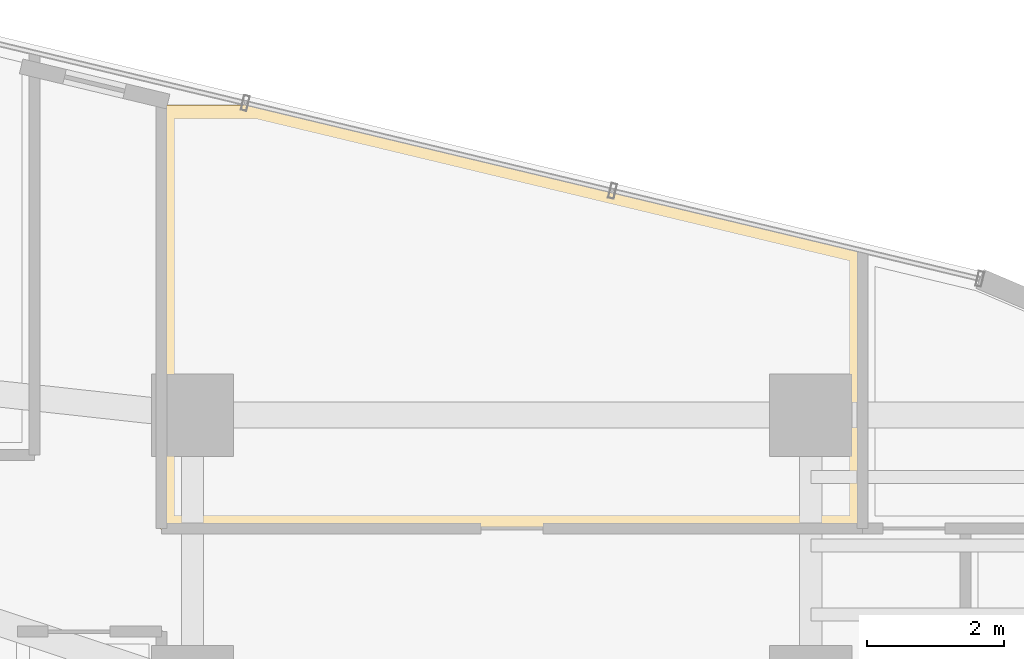
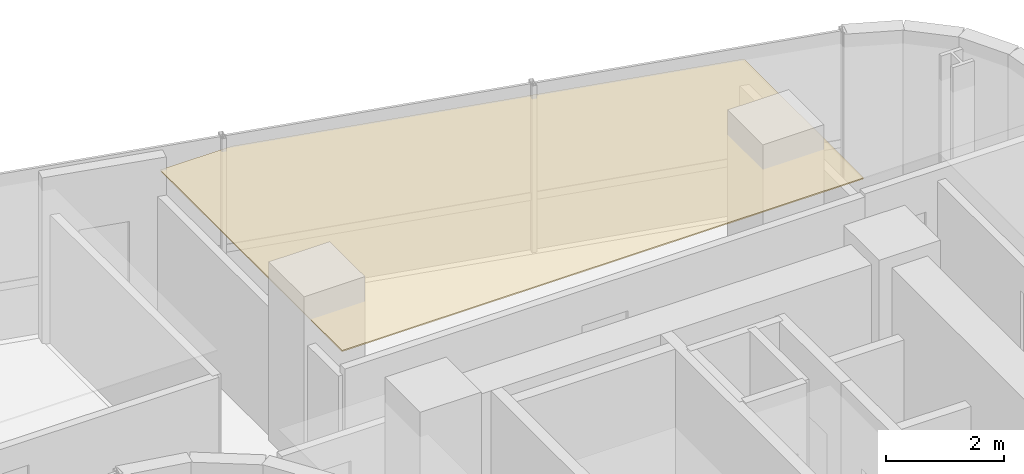
# One storey, part 35 of 35: 1 covering.
"""IFC4 building model written with IfcOpenShell, lengths in metres."""

import ifcopenshell
import ifcopenshell.guid

model = None  # the IFC model being written
_history = None  # IfcOwnerHistory: only IFC2X3 demands one
_inside = {}  # id of a spatial element -> (the spatial element, [elements in it])
_under = {}  # id of a project, library or spatial element -> (it, [spatial elements below it])
_declared = {}  # id of a project -> (the project, [libraries it declares])
_typed = {}  # id of a type object -> (the type object, [elements of that type])
_made_of = {}  # id of a material, layer set ... -> (it, [elements and type objects made of it])


def new_model(schema):
    """Start an empty IFC model of exactly this schema.

    Asked for "IFC4X3", IfcOpenShell would pick the latest addendum, in which some entities
    have other attributes; the version numbers below select the first issue.
    IFC2X3 requires an IfcOwnerHistory on every rooted entity: one is made here for all.
    """
    global model, _history
    if schema == "IFC4X3":
        model = ifcopenshell.file(schema_version=(4, 3, 0, 0))
    else:
        model = ifcopenshell.file(schema=schema)
    _inside.clear()
    _under.clear()
    _declared.clear()
    _typed.clear()
    _made_of.clear()
    _history = None
    if model.schema == "IFC2X3":
        org = make("IfcOrganization", Name="unknown")
        user = make(
            "IfcPersonAndOrganization",
            ThePerson=make("IfcPerson", FamilyName="unknown"),
            TheOrganization=org,
        )
        app = make(
            "IfcApplication",
            ApplicationDeveloper=org,
            Version="unknown",
            ApplicationFullName="unknown",
            ApplicationIdentifier="unknown",
        )
        _history = make(
            "IfcOwnerHistory",
            OwningUser=user,
            OwningApplication=app,
            ChangeAction="ADDED",
            CreationDate=0,
        )
    return model


def make(cls, **values):
    """One entity of the class cls with the attributes given. An attribute that is None is left unset."""
    return model.create_entity(
        cls, **{name: value for name, value in values.items() if value is not None}
    )


def rooted(cls, **values):
    """An entity with a GlobalId (a new one), such as an element, a storey or a relation."""
    return make(cls, GlobalId=ifcopenshell.guid.new(), OwnerHistory=_history, **values)


def si_unit(unit_type, name, prefix=None):
    """IfcSIUnit, for example si_unit("LENGTHUNIT", "METRE", prefix="MILLI")."""
    return make("IfcSIUnit", UnitType=unit_type, Prefix=prefix, Name=name)


def assignment(units):
    """IfcUnitAssignment: the units of a project."""
    return None if units is None else make("IfcUnitAssignment", Units=units)


def point(xyz):
    """IfcCartesianPoint."""
    return None if xyz is None else make("IfcCartesianPoint", Coordinates=xyz)


def direction(xyz):
    """IfcDirection."""
    return None if xyz is None else make("IfcDirection", DirectionRatios=xyz)


def frame(location, z_axis=None, x_axis=None):
    """IfcAxis2Placement3D, a coordinate frame: its origin and axes. An axis left out is left unset."""
    return make(
        "IfcAxis2Placement3D",
        Location=point(location),
        Axis=direction(z_axis),
        RefDirection=direction(x_axis),
    )


def origin():
    """The frame at (0, 0, 0) with its axes left unset."""
    return frame((0.0, 0.0, 0.0))


def place(relative_to, where):
    """IfcLocalPlacement: puts the frame where relative to a parent placement (None: the world)."""
    return make(
        "IfcLocalPlacement", PlacementRelTo=relative_to, RelativePlacement=where
    )


def context(
    kind, dimensions, precision=None, world=None, true_north=None, identifier=None
):
    """IfcGeometricRepresentationContext, for example the 3D "Model" context."""
    return make(
        "IfcGeometricRepresentationContext",
        ContextIdentifier=identifier,
        ContextType=kind,
        CoordinateSpaceDimension=dimensions,
        Precision=precision,
        WorldCoordinateSystem=world,
        TrueNorth=true_north,
    )


def subcontext(parent, identifier, kind, view, scale=None):
    """IfcGeometricRepresentationSubContext, for example "Body" below "Model"."""
    return make(
        "IfcGeometricRepresentationSubContext",
        ContextIdentifier=identifier,
        ContextType=kind,
        ParentContext=parent,
        TargetScale=scale,
        TargetView=view,
    )


def project(units=None, contexts=None):
    """IfcProject with its units and contexts."""
    return rooted(
        "IfcProject",
        Name="project",
        RepresentationContexts=contexts,
        UnitsInContext=assignment(units),
    )


def spatial(cls, under=None, at=None, **own):
    """A site, building, storey or space (cls), placed at a placement, below another one or the project."""
    s = rooted(cls, ObjectPlacement=at, **own)
    if under is not None:
        _under.setdefault(under.id(), (under, []))[1].append(s)
    return s


def polyline(points):
    """IfcPolyline through the points."""
    return make("IfcPolyline", Points=[point(p) for p in points])


def outline(outer, holes=None, kind="AREA"):
    """IfcArbitraryClosedProfileDef: a profile drawn as a closed curve; with holes, ...WithVoids."""
    if holes is None:
        return make("IfcArbitraryClosedProfileDef", ProfileType=kind, OuterCurve=outer)
    return make(
        "IfcArbitraryProfileDefWithVoids",
        ProfileType=kind,
        OuterCurve=outer,
        InnerCurves=holes,
    )


def extrude(swept, where, along, depth):
    """IfcExtrudedAreaSolid: the profile swept, set in the frame where, extruded along a direction by depth."""
    return make(
        "IfcExtrudedAreaSolid",
        SweptArea=swept,
        Position=where,
        ExtrudedDirection=direction(along),
        Depth=depth,
    )


def shape(context_of_items, identifier, shape_type, items):
    """IfcShapeRepresentation: the items that make up one representation, for example the "Body"."""
    return make(
        "IfcShapeRepresentation",
        ContextOfItems=context_of_items,
        RepresentationIdentifier=identifier,
        RepresentationType=shape_type,
        Items=items,
    )


def material(Name=None, Category=None):
    """IfcMaterial."""
    return make("IfcMaterial", Name=Name, Category=Category)


def layer(
    of_material, thickness, ventilated=None, Name=None, Category=None, Priority=None
):
    """IfcMaterialLayer: one layer of a wall or slab, of a material (None: an air gap)."""
    return make(
        "IfcMaterialLayer",
        Material=of_material,
        LayerThickness=thickness,
        IsVentilated=ventilated,
        Name=Name,
        Category=Category,
        Priority=Priority,
    )


def layer_set(layers, Name=None):
    """IfcMaterialLayerSet."""
    return make("IfcMaterialLayerSet", MaterialLayers=layers, LayerSetName=Name)


def made_of(thing, what):
    """Note that an element or type object is made of a material, layer set ...; save() writes the relation."""
    if what is not None:
        _made_of.setdefault(what.id(), (what, []))[1].append(thing)
    return thing


def type_object(cls, material=None, **own):
    """A type object (cls), such as IfcWallType, which elements share."""
    return made_of(rooted(cls, **own), material)


def element(
    cls,
    number,
    at=None,
    inside=None,
    cuts=None,
    type_object=None,
    material=None,
    context=None,
    identifier="Body",
    shape_type=None,
    held_by="IfcProductDefinitionShape",
    body=None,
    shapes=None,
    **own,
):
    """One element of the class cls, such as IfcWall. Its Tag is "e" and its number.

    at: its placement. inside: the storey or other place that contains it. cuts: it is an
    opening in that element (IfcRelVoidsElement). A single representation is given by context,
    identifier, shape_type and body (its items); several are given by shapes. held_by: the class
    of the entity that holds the representations. save() writes the other relations.
    """
    e = rooted(cls, Tag="e%d" % number, ObjectPlacement=at, **own)
    if body is not None:
        shapes = [shape(context, identifier, shape_type, body)]
    if shapes is not None:
        e.Representation = make(held_by, Representations=shapes)
    if inside is not None:
        _inside.setdefault(inside.id(), (inside, []))[1].append(e)
    if cuts is not None:
        rooted(
            "IfcRelVoidsElement", RelatingBuildingElement=cuts, RelatedOpeningElement=e
        )
    if type_object is not None:
        _typed.setdefault(type_object.id(), (type_object, []))[1].append(e)
    return made_of(e, material)


def aggregate(whole, parts):
    """IfcRelAggregates: a whole, such as a stair, and the parts it consists of."""
    return rooted("IfcRelAggregates", RelatingObject=whole, RelatedObjects=parts)


def save(model, path):
    """Write the relations noted so far, then the file.

    IfcRelAggregates (storeys below a building ...), IfcRelContainedInSpatialStructure (elements
    in a storey), IfcRelDefinesByType, IfcRelAssociatesMaterial and IfcRelDeclares: one each for
    every whole, place, type object, material and project.
    """
    for whole, parts in _under.values():
        aggregate(whole, parts)
    for where, things in _inside.values():
        rooted(
            "IfcRelContainedInSpatialStructure",
            RelatedElements=things,
            RelatingStructure=where,
        )
    for kind, things in _typed.values():
        rooted("IfcRelDefinesByType", RelatedObjects=things, RelatingType=kind)
    for what, things in _made_of.values():
        rooted("IfcRelAssociatesMaterial", RelatedObjects=things, RelatingMaterial=what)
    for by, libraries in _declared.values():
        rooted("IfcRelDeclares", RelatingContext=by, RelatedDefinitions=libraries)
    model.write(path)


model = new_model("IFC4")

# Units and contexts
model_context = context("Model", 3, precision=1e-05, world=origin(), true_north=direction((0.0, 1.0)))
body_context = subcontext(model_context, "Body", "Model", "MODEL_VIEW")
ifc_project = project(units=[si_unit("LENGTHUNIT", "METRE"), si_unit("AREAUNIT", "SQUARE_METRE"), si_unit("VOLUMEUNIT", "CUBIC_METRE"), si_unit("PLANEANGLEUNIT", "RADIAN"), si_unit("MASSUNIT", "GRAM", prefix="KILO")], contexts=[model_context])

# Site, building, storey
site_placement = place(None, origin())
site = spatial("IfcSite", under=ifc_project, at=site_placement, CompositionType="ELEMENT")
building_placement = place(site_placement, origin())
building = spatial("IfcBuilding", under=site, at=building_placement, Name="Valdorenza Pilgrim Sanctuary Tower", CompositionType="ELEMENT")
storey_placement = place(building_placement, frame((0.0, 0.0, 139.0)))
storey = spatial("IfcBuildingStorey", under=building, at=storey_placement, Name="L35", CompositionType="ELEMENT", Elevation=139.0)

# Covering
ifc_material = material(Name="Micro-perforated acoustic mineral ceiling tile", Category="gypsum")
ifc_layer = layer(ifc_material, 0.02490234375, Name="Micro-perforated acoustic mineral ceiling tile")
ifc_layer_set = layer_set([ifc_layer], Name="Micro-perforated acoustic mineral ceiling tile")
covering_type = type_object("IfcCoveringType", Name="COV-CLG-ACU", PredefinedType="CEILING", material=ifc_layer_set)
covering_placement = place(storey_placement, frame((0.0, 0.0, 3.159912109375)))
element("IfcCovering", 1, at=covering_placement, inside=storey, type_object=covering_type, Name="L35 Curator Research Office L35-BN1 Acoustic Ceiling", PredefinedType="CEILING", context=body_context, shape_type="SweptSolid", body=[
    extrude(outline(polyline([(15.39990234375, 11.8349609375), (15.3984375, 11.835205078125), (15.397216796875, 11.835205078125), (15.3955078125, 11.835693359375), (15.394287109375, 11.836181640625), (15.392822265625, 11.8369140625), (15.3916015625, 11.83740234375), (15.390380859375, 11.83837890625), (15.389404296875, 11.83935546875), (15.388427734375, 11.840576171875), (15.387451171875, 11.841796875), (15.38671875, 11.843017578125), (15.385986328125, 11.84423828125), (15.385498046875, 11.845703125), (15.38525390625, 11.84716796875), (15.385009765625, 11.848388671875), (15.385009765625, 11.85009765625), (15.385009765625, 18.0), (15.385009765625, 18.00146484375), (15.38525390625, 18.0029296875), (15.385498046875, 18.00439453125), (15.385986328125, 18.005615234375), (15.38671875, 18.007080078125), (15.387451171875, 18.00830078125), (15.388427734375, 18.009521484375), (15.389404296875, 18.010498046875), (15.390380859375, 18.01171875), (15.3916015625, 18.012451171875), (15.392822265625, 18.01318359375), (15.394287109375, 18.013916015625), (15.3955078125, 18.014404296875), (15.397216796875, 18.0146484375), (15.3984375, 18.014892578125), (15.39990234375, 18.014892578125), (16.794189453125, 18.014892578125), (16.7958984375, 18.014892578125), (16.797607421875, 18.0146484375), (25.603515625, 15.90673828125), (25.60498046875, 15.906494140625), (25.606201171875, 15.906005859375), (25.607421875, 15.9052734375), (25.608642578125, 15.904541015625), (25.60986328125, 15.903564453125), (25.61083984375, 15.902587890625), (25.61181640625, 15.901611328125), (25.612548828125, 15.900390625), (25.61328125, 15.899169921875), (25.614013671875, 15.897705078125), (25.614501953125, 15.896484375), (25.61474609375, 15.89501953125), (25.614990234375, 15.893798828125), (25.614990234375, 15.892333984375), (25.614990234375, 11.85009765625), (25.614990234375, 11.848388671875), (25.61474609375, 11.84716796875), (25.614501953125, 11.845703125), (25.614013671875, 11.84423828125), (25.61328125, 11.843017578125), (25.612548828125, 11.841796875), (25.611572265625, 11.840576171875), (25.610595703125, 11.83935546875), (25.609619140625, 11.83837890625), (25.6083984375, 11.83740234375), (25.607177734375, 11.8369140625), (25.605712890625, 11.836181640625), (25.6044921875, 11.835693359375), (25.602783203125, 11.835205078125), (25.6015625, 11.835205078125), (25.60009765625, 11.8349609375), (15.39990234375, 11.8349609375)])), origin(), (0.0, 0.0, 1.0), 0.025146484375),
])

save(model, "model.ifc")
